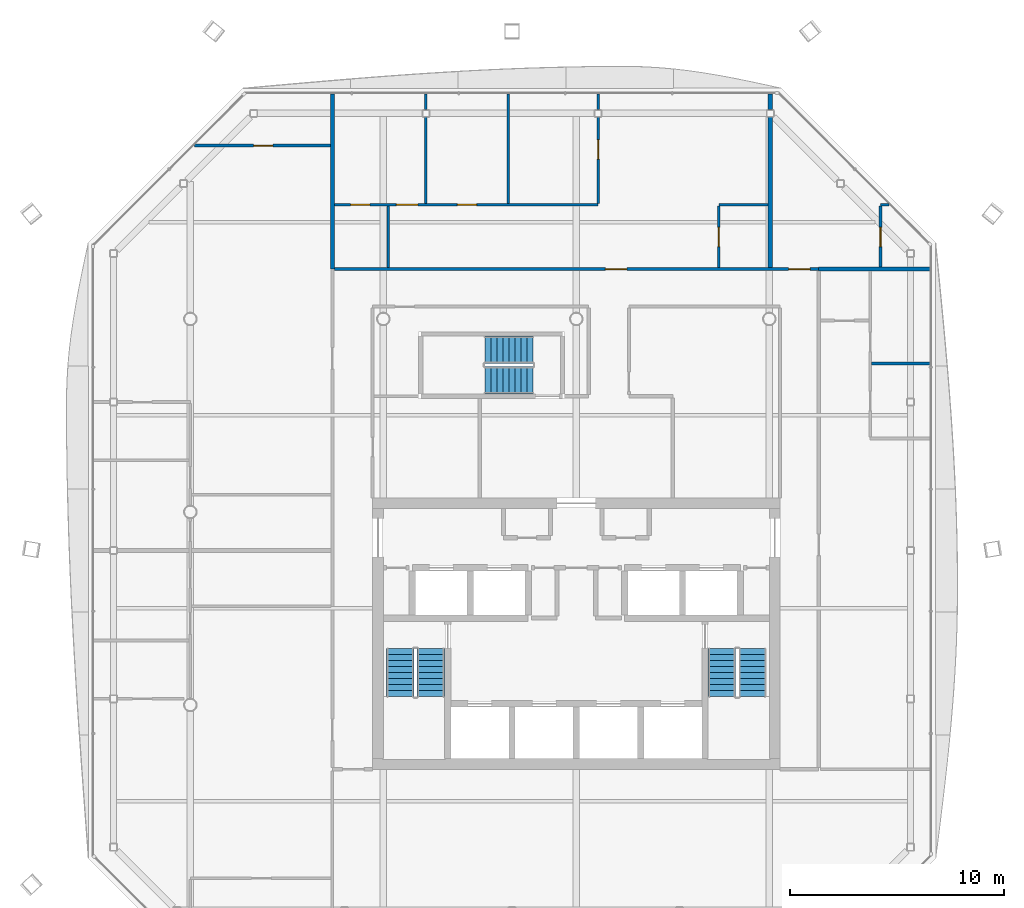
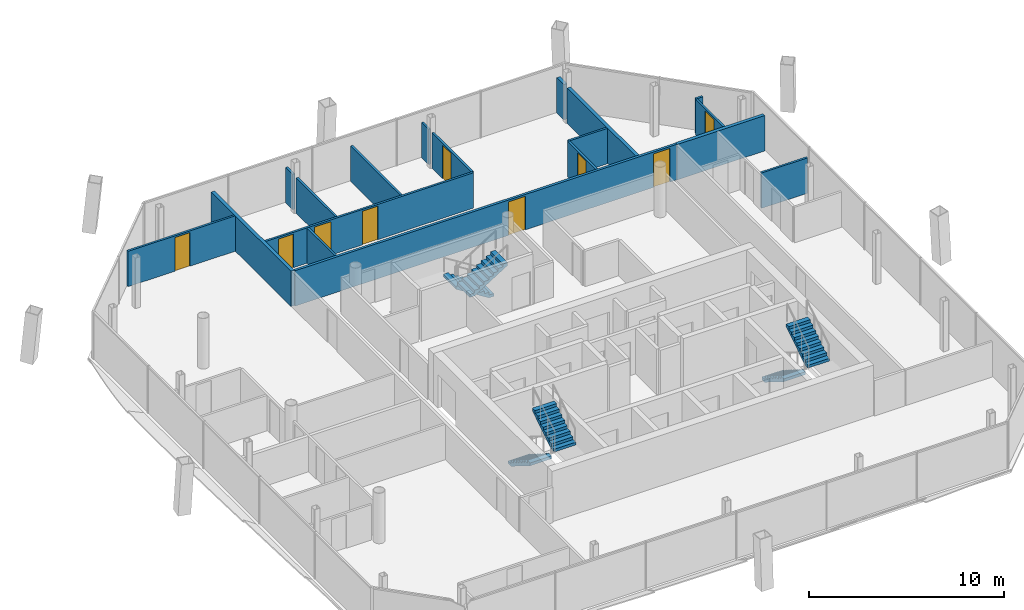
# One storey, part 15 of 19: 18 walls, 9 doors, 6 stair flights, 9 openings, 3 elements without a shape of their own.
"""IFC4 building model written with IfcOpenShell, lengths in metres."""

from ifc_helpers import new_model, si_unit, direction, frame, frame_2d, origin, place, context, subcontext, project, spatial, polyline, rectangle, outline, extrude, material, layer, layer_set, type_object, element, fill, aggregate, save


model = new_model("IFC4")

# Units and contexts
model_context = context("Model", 3, precision=1e-05, world=origin(), true_north=direction((0.0, 1.0)))
body_context = subcontext(model_context, "Body", "Model", "MODEL_VIEW")
ifc_project = project(units=[si_unit("LENGTHUNIT", "METRE"), si_unit("AREAUNIT", "SQUARE_METRE"), si_unit("VOLUMEUNIT", "CUBIC_METRE"), si_unit("PLANEANGLEUNIT", "RADIAN"), si_unit("MASSUNIT", "GRAM", prefix="KILO")], contexts=[model_context])

# Site, building, storey
site_placement = place(None, origin())
site = spatial("IfcSite", under=ifc_project, at=site_placement, CompositionType="ELEMENT")
building_placement = place(site_placement, origin())
building = spatial("IfcBuilding", under=site, at=building_placement, Name="Tskaro Facet Tower", CompositionType="ELEMENT")
storey_placement = place(building_placement, frame((0.0, 0.0, 203.699951171875)))
storey = spatial("IfcBuildingStorey", under=building, at=storey_placement, Name="L52", CompositionType="ELEMENT", Elevation=203.699951171875)

# Wall
ifc_material_1 = material(Name="Gypsum board on steel studs", Category="steel")
ifc_layer_1 = layer(ifc_material_1, 0.125, Name="Gypsum board on steel studs")
ifc_layer_set_1 = layer_set([ifc_layer_1], Name="Gypsum board on steel studs")
wall_type_1 = type_object("IfcWallType", Name="PART", PredefinedType="PARTITIONING", material=ifc_layer_set_1)
wall_1_placement = place(storey_placement, frame((13.762451171875, 6.925048828125, 0.0), z_axis=(0.0, 0.0, 1.0), x_axis=(1.0, 0.0, 0.0)))
element("IfcWall", 1, at=wall_1_placement, inside=storey, type_object=wall_type_1, Name="Partition W032", PredefinedType="PARTITIONING", context=body_context, shape_type="SweptSolid", body=[
    extrude(rectangle(XDim=2.720458984375, YDim=0.125, at=frame_2d((1.3603515625, 0.0))), origin(), (0.0, 0.0, 1.0), 2.2099609375),
])

# Wall, openings, doors
wall_2_placement = place(storey_placement, frame((-11.27490234375, 14.324951171875, 0.0), z_axis=(0.0, 0.0, 1.0), x_axis=(1.0, 0.0, 0.0)))
wall_2 = element("IfcWall", 2, at=wall_2_placement, inside=storey, type_object=wall_type_1, Name="Partition W039", PredefinedType="PARTITIONING", context=body_context, shape_type="SweptSolid", body=[
    extrude(rectangle(XDim=12.289794921875, YDim=0.125, at=frame_2d((6.14501953125, 0.0))), origin(), (0.0, 0.0, 1.0), 2.2099609375),
])
opening_1_placement = place(wall_2_placement, frame((5.72998046875, 0.0, 0.0)))
opening_1 = element("IfcOpeningElement", 3, at=opening_1_placement, cuts=wall_2, Name="Opening T15-D33", PredefinedType="OPENING", context=body_context, shape_type="SweptSolid", body=[
    extrude(rectangle(XDim=0.89990234375, YDim=2.10009765625, at=frame_2d((0.449951171875, 1.050048828125))), frame((0.0, 0.072509765625, 0.0), z_axis=(0.0, -1.0, 0.0), x_axis=(1.0, 0.0, 0.0)), (0.0, 0.0, 1.0), 0.14501953125),
])
opening_2_placement = place(wall_2_placement, frame((2.8798828125, 0.0, 0.0)))
opening_2 = element("IfcOpeningElement", 4, at=opening_2_placement, cuts=wall_2, Name="Opening T15-D32", PredefinedType="OPENING", context=body_context, shape_type="SweptSolid", body=[
    extrude(rectangle(XDim=1.0, YDim=2.10009765625, at=frame_2d((0.5, 1.050048828125))), frame((0.0, 0.072509765625, 0.0), z_axis=(0.0, -1.0, 0.0), x_axis=(1.0, 0.0, 0.0)), (0.0, 0.0, 1.0), 0.14501953125),
])
opening_3_placement = place(wall_2_placement, frame((0.75, 0.0, 0.0)))
opening_3 = element("IfcOpeningElement", 5, at=opening_3_placement, cuts=wall_2, Name="Opening T15-D31", PredefinedType="OPENING", context=body_context, shape_type="SweptSolid", body=[
    extrude(rectangle(XDim=0.89990234375, YDim=2.10009765625, at=frame_2d((0.449951171875, 1.050048828125))), frame((0.0, 0.072509765625, 0.0), z_axis=(0.0, -1.0, 0.0), x_axis=(1.0, 0.0, 0.0)), (0.0, 0.0, 1.0), 0.14501953125),
])
ifc_material_2 = material(Name="Timber", Category="wood")
door_type_1 = type_object("IfcDoorType", Name="D-ROOM", OperationType="NOTDEFINED", PredefinedType="DOOR", material=ifc_material_2)
door_1_placement = place(opening_1_placement, origin())
door_1 = element("IfcDoor", 6, at=door_1_placement, inside=storey, type_object=door_type_1, Name="Door T15-D33", OperationType="SINGLE_SWING_LEFT", OverallHeight=2.10009765625, OverallWidth=0.89990234375, PredefinedType="DOOR", context=body_context, shape_type="SweptSolid", body=[
    extrude(rectangle(XDim=0.89990234375, YDim=2.10009765625, at=frame_2d((0.449951171875, 1.050048828125))), frame((0.0, 0.02490234375, 0.0), z_axis=(0.0, -1.0, 0.0), x_axis=(1.0, 0.0, 0.0)), (0.0, 0.0, 1.0), 0.050048828125),
])
fill(opening_1, door_1)
door_2_placement = place(opening_3_placement, origin())
door_2 = element("IfcDoor", 7, at=door_2_placement, inside=storey, type_object=door_type_1, Name="Door T15-D31", OperationType="SINGLE_SWING_RIGHT", OverallHeight=2.10009765625, OverallWidth=0.89990234375, PredefinedType="DOOR", context=body_context, shape_type="SweptSolid", body=[
    extrude(rectangle(XDim=0.89990234375, YDim=2.10009765625, at=frame_2d((0.449951171875, 1.050048828125))), frame((0.0, 0.02490234375, 0.0), z_axis=(0.0, -1.0, 0.0), x_axis=(1.0, 0.0, 0.0)), (0.0, 0.0, 1.0), 0.050048828125),
])
fill(opening_3, door_2)
door_type_2 = type_object("IfcDoorType", Name="D-ROOM-WIDE", OperationType="NOTDEFINED", PredefinedType="DOOR", material=ifc_material_2)
door_3_placement = place(opening_2_placement, origin())
door_3 = element("IfcDoor", 8, at=door_3_placement, inside=storey, type_object=door_type_2, Name="Door T15-D32", OperationType="SINGLE_SWING_RIGHT", OverallHeight=2.10009765625, OverallWidth=1.0, PredefinedType="DOOR", context=body_context, shape_type="SweptSolid", body=[
    extrude(rectangle(XDim=1.0, YDim=2.10009765625, at=frame_2d((0.5, 1.050048828125))), frame((0.0, 0.02490234375, 0.0), z_axis=(0.0, -1.0, 0.0), x_axis=(1.0, 0.0, 0.0)), (0.0, 0.0, 1.0), 0.050048828125),
])
fill(opening_2, door_3)

# Walls
wall_3_placement = place(storey_placement, frame((6.64501953125, 14.324951171875, 0.0), z_axis=(0.0, 0.0, 1.0), x_axis=(1.0, 0.0, 0.0)))
element("IfcWall", 9, at=wall_3_placement, inside=storey, type_object=wall_type_1, Name="Partition W040", PredefinedType="PARTITIONING", context=body_context, shape_type="SweptSolid", body=[
    extrude(rectangle(XDim=2.300048828125, YDim=0.125, at=frame_2d((1.14990234375, 0.0))), origin(), (0.0, 0.0, 1.0), 2.2099609375),
])
wall_4_placement = place(storey_placement, frame((14.18505859375, 14.324951171875, 0.0), z_axis=(0.0, 0.0, 1.0), x_axis=(1.0, 0.0, 0.0)))
element("IfcWall", 10, at=wall_4_placement, inside=storey, type_object=wall_type_1, Name="Partition W041", PredefinedType="PARTITIONING", context=body_context, shape_type="SweptSolid", body=[
    extrude(rectangle(XDim=0.391845703125, YDim=0.125, at=frame_2d((0.19580078125, 0.0))), origin(), (0.0, 0.0, 1.0), 2.2099609375),
])

# Wall, opening, door
wall_5_placement = place(storey_placement, frame((-17.81689453125, 17.0849609375, 0.0), z_axis=(0.0, 0.0, 1.0), x_axis=(1.0, 0.0, 0.0)))
wall_5 = element("IfcWall", 11, at=wall_5_placement, inside=storey, type_object=wall_type_1, Name="Partition W042", PredefinedType="PARTITIONING", context=body_context, shape_type="SweptSolid", body=[
    extrude(rectangle(XDim=6.341796875, YDim=0.125, at=frame_2d((3.1708984375, 0.0))), origin(), (0.0, 0.0, 1.0), 2.2099609375),
])
opening_4_placement = place(wall_5_placement, frame((2.77099609375, 0.0, 0.0)))
opening_4 = element("IfcOpeningElement", 12, at=opening_4_placement, cuts=wall_5, Name="Opening T15-D35", PredefinedType="OPENING", context=body_context, shape_type="SweptSolid", body=[
    extrude(rectangle(XDim=0.89990234375, YDim=2.10009765625, at=frame_2d((0.449951171875, 1.050048828125))), frame((0.0, 0.072509765625, 0.0), z_axis=(0.0, -1.0, 0.0), x_axis=(1.0, 0.0, 0.0)), (0.0, 0.0, 1.0), 0.14501953125),
])
door_4_placement = place(opening_4_placement, origin())
door_4 = element("IfcDoor", 13, at=door_4_placement, inside=storey, type_object=door_type_1, Name="Door T15-D35", OperationType="SINGLE_SWING_LEFT", OverallHeight=2.10009765625, OverallWidth=0.89990234375, PredefinedType="DOOR", context=body_context, shape_type="SweptSolid", body=[
    extrude(rectangle(XDim=0.89990234375, YDim=2.10009765625, at=frame_2d((0.449951171875, 1.050048828125))), frame((0.0, 0.02490234375, 0.0), z_axis=(0.0, -1.0, 0.0), x_axis=(1.0, 0.0, 0.0)), (0.0, 0.0, 1.0), 0.050048828125),
])
fill(opening_4, door_4)

# Walls
wall_6_placement = place(storey_placement, frame((-8.77490234375, 11.39990234375, 0.0), z_axis=(0.0, 0.0, 1.0), x_axis=(0.0, 1.0, 0.0)))
element("IfcWall", 14, at=wall_6_placement, inside=storey, type_object=wall_type_1, Name="Partition W050", PredefinedType="PARTITIONING", context=body_context, shape_type="SweptSolid", body=[
    extrude(rectangle(XDim=2.862548828125, YDim=0.125, at=frame_2d((1.43115234375, 0.0))), origin(), (0.0, 0.0, 1.0), 2.2099609375),
])
wall_7_placement = place(storey_placement, frame((-7.014892578125, 14.387451171875, 0.0), z_axis=(0.0, 0.0, 1.0), x_axis=(0.0, 1.0, 0.0)))
element("IfcWall", 15, at=wall_7_placement, inside=storey, type_object=wall_type_1, Name="Partition W053", PredefinedType="PARTITIONING", context=body_context, shape_type="SweptSolid", body=[
    extrude(rectangle(XDim=4.0205078125, YDim=0.125, at=frame_2d((2.01025390625, 0.0))), origin(), (0.0, 0.0, 1.0), 2.2099609375),
])
wall_8_placement = place(storey_placement, frame((-7.014892578125, 18.758056640625, 0.0), z_axis=(0.0, 0.0, 1.0), x_axis=(0.0, 1.0, 0.0)))
element("IfcWall", 16, at=wall_8_placement, inside=storey, type_object=wall_type_1, Name="Partition W054", PredefinedType="PARTITIONING", context=body_context, shape_type="SweptSolid", body=[
    extrude(rectangle(XDim=0.724853515625, YDim=0.125, at=frame_2d((0.3623046875, 0.0))), origin(), (0.0, 0.0, 1.0), 2.2099609375),
])
wall_9_placement = place(storey_placement, frame((-3.175048828125, 14.387451171875, 0.0), z_axis=(0.0, 0.0, 1.0), x_axis=(0.0, 1.0, 0.0)))
element("IfcWall", 17, at=wall_9_placement, inside=storey, type_object=wall_type_1, Name="Partition W059", PredefinedType="PARTITIONING", context=body_context, shape_type="SweptSolid", body=[
    extrude(rectangle(XDim=5.095458984375, YDim=0.125, at=frame_2d((2.5478515625, 0.0))), origin(), (0.0, 0.0, 1.0), 2.2099609375),
])

# Wall, opening, door
wall_10_placement = place(storey_placement, frame((1.014892578125, 14.387451171875, 0.0), z_axis=(0.0, 0.0, 1.0), x_axis=(0.0, 1.0, 0.0)))
wall_10 = element("IfcWall", 18, at=wall_10_placement, inside=storey, type_object=wall_type_1, Name="Partition W068", PredefinedType="PARTITIONING", context=body_context, shape_type="SweptSolid", body=[
    extrude(rectangle(XDim=4.0205078125, YDim=0.125, at=frame_2d((2.01025390625, 0.0))), origin(), (0.0, 0.0, 1.0), 2.2099609375),
])
opening_5_placement = place(wall_10_placement, frame((2.06640625, 0.0, 0.0)))
opening_5 = element("IfcOpeningElement", 19, at=opening_5_placement, cuts=wall_10, Name="Opening T15-D34", PredefinedType="OPENING", context=body_context, shape_type="SweptSolid", body=[
    extrude(rectangle(XDim=0.89990234375, YDim=2.10009765625, at=frame_2d((0.449951171875, 1.050048828125))), frame((0.0, 0.072509765625, 0.0), z_axis=(0.0, -1.0, 0.0), x_axis=(1.0, 0.0, 0.0)), (0.0, 0.0, 1.0), 0.14501953125),
])
door_5_placement = place(opening_5_placement, origin())
door_5 = element("IfcDoor", 20, at=door_5_placement, inside=storey, type_object=door_type_1, Name="Door T15-D34", OperationType="SINGLE_SWING_LEFT", OverallHeight=2.10009765625, OverallWidth=0.89990234375, PredefinedType="DOOR", context=body_context, shape_type="SweptSolid", body=[
    extrude(rectangle(XDim=0.89990234375, YDim=2.10009765625, at=frame_2d((0.449951171875, 1.050048828125))), frame((0.0, 0.02490234375, 0.0), z_axis=(0.0, -1.0, 0.0), x_axis=(1.0, 0.0, 0.0)), (0.0, 0.0, 1.0), 0.050048828125),
])
fill(opening_5, door_5)

# Wall
wall_11_placement = place(storey_placement, frame((1.014892578125, 18.758056640625, 0.0), z_axis=(0.0, 0.0, 1.0), x_axis=(0.0, 1.0, 0.0)))
element("IfcWall", 21, at=wall_11_placement, inside=storey, type_object=wall_type_1, Name="Partition W069", PredefinedType="PARTITIONING", context=body_context, shape_type="SweptSolid", body=[
    extrude(rectangle(XDim=0.724853515625, YDim=0.125, at=frame_2d((0.3623046875, 0.0))), origin(), (0.0, 0.0, 1.0), 2.2099609375),
])

# Wall, opening, door
wall_12_placement = place(storey_placement, frame((6.64501953125, 14.262451171875, 0.0), z_axis=(0.0, 0.0, 1.0), x_axis=(0.0, -1.0, 0.0)))
wall_12 = element("IfcWall", 22, at=wall_12_placement, inside=storey, type_object=wall_type_1, Name="Partition W078", PredefinedType="PARTITIONING", context=body_context, shape_type="SweptSolid", body=[
    extrude(rectangle(XDim=2.862548828125, YDim=0.125, at=frame_2d((1.43115234375, 0.0))), origin(), (0.0, 0.0, 1.0), 2.2099609375),
])
opening_6_placement = place(wall_12_placement, frame((0.987548828125, 0.0, 0.0)))
opening_6 = element("IfcOpeningElement", 23, at=opening_6_placement, cuts=wall_12, Name="Opening T15-D29", PredefinedType="OPENING", context=body_context, shape_type="SweptSolid", body=[
    extrude(rectangle(XDim=0.89990234375, YDim=2.10009765625, at=frame_2d((0.449951171875, 1.050048828125))), frame((0.0, 0.072509765625, 0.0), z_axis=(0.0, -1.0, 0.0), x_axis=(1.0, 0.0, 0.0)), (0.0, 0.0, 1.0), 0.14501953125),
])
door_6_placement = place(opening_6_placement, origin())
door_6 = element("IfcDoor", 24, at=door_6_placement, inside=storey, type_object=door_type_1, Name="Door T15-D29", OperationType="SINGLE_SWING_RIGHT", OverallHeight=2.10009765625, OverallWidth=0.89990234375, PredefinedType="DOOR", context=body_context, shape_type="SweptSolid", body=[
    extrude(rectangle(XDim=0.89990234375, YDim=2.10009765625, at=frame_2d((0.449951171875, 1.050048828125))), frame((0.0, 0.02490234375, 0.0), z_axis=(0.0, -1.0, 0.0), x_axis=(1.0, 0.0, 0.0)), (0.0, 0.0, 1.0), 0.050048828125),
])
fill(opening_6, door_6)

wall_13_placement = place(storey_placement, frame((14.18505859375, 14.262451171875, 0.0), z_axis=(0.0, 0.0, 1.0), x_axis=(0.0, -1.0, 0.0)))
wall_13 = element("IfcWall", 25, at=wall_13_placement, inside=storey, type_object=wall_type_1, Name="Partition W085", PredefinedType="PARTITIONING", context=body_context, shape_type="SweptSolid", body=[
    extrude(rectangle(XDim=2.83740234375, YDim=0.125, at=frame_2d((1.418701171875, 0.0))), origin(), (0.0, 0.0, 1.0), 2.2099609375),
])
opening_7_placement = place(wall_13_placement, frame((0.987548828125, 0.0, 0.0)))
opening_7 = element("IfcOpeningElement", 26, at=opening_7_placement, cuts=wall_13, Name="Opening T15-D30", PredefinedType="OPENING", context=body_context, shape_type="SweptSolid", body=[
    extrude(rectangle(XDim=0.89990234375, YDim=2.10009765625, at=frame_2d((0.449951171875, 1.050048828125))), frame((0.0, 0.072509765625, 0.0), z_axis=(0.0, -1.0, 0.0), x_axis=(1.0, 0.0, 0.0)), (0.0, 0.0, 1.0), 0.14501953125),
])
door_7_placement = place(opening_7_placement, origin())
door_7 = element("IfcDoor", 27, at=door_7_placement, inside=storey, type_object=door_type_1, Name="Door T15-D30", OperationType="SINGLE_SWING_RIGHT", OverallHeight=2.10009765625, OverallWidth=0.89990234375, PredefinedType="DOOR", context=body_context, shape_type="SweptSolid", body=[
    extrude(rectangle(XDim=0.89990234375, YDim=2.10009765625, at=frame_2d((0.449951171875, 1.050048828125))), frame((0.0, 0.02490234375, 0.0), z_axis=(0.0, -1.0, 0.0), x_axis=(1.0, 0.0, 0.0)), (0.0, 0.0, 1.0), 0.050048828125),
])
fill(opening_7, door_7)

# Wall, openings, doors
ifc_layer_2 = layer(ifc_material_1, 0.14990234375, Name="Gypsum board on steel studs")
ifc_layer_set_2 = layer_set([ifc_layer_2], Name="Gypsum board on steel studs")
wall_type_2 = type_object("IfcWallType", Name="PART-CORR", PredefinedType="PARTITIONING", material=ifc_layer_set_2)
wall_14_placement = place(storey_placement, frame((-11.27490234375, 11.324951171875, 0.0), z_axis=(0.0, 0.0, 1.0), x_axis=(1.0, 0.0, 0.0)))
wall_14 = element("IfcWall", 28, at=wall_14_placement, inside=storey, type_object=wall_type_2, Name="Corridor wall W037", PredefinedType="PARTITIONING", context=body_context, shape_type="SweptSolid", body=[
    extrude(rectangle(XDim=22.574951171875, YDim=0.14990234375, at=frame_2d((11.28759765625, 0.0))), origin(), (0.0, 0.0, 1.0), 2.2099609375),
])
opening_8_placement = place(wall_14_placement, frame((12.6298828125, 0.0, 0.0)))
opening_8 = element("IfcOpeningElement", 29, at=opening_8_placement, cuts=wall_14, Name="Opening T15-D27", PredefinedType="OPENING", context=body_context, shape_type="SweptSolid", body=[
    extrude(rectangle(XDim=1.0, YDim=2.10009765625, at=frame_2d((0.5, 1.050048828125))), frame((0.0, 0.0849609375, 0.0), z_axis=(0.0, -1.0, 0.0), x_axis=(1.0, 0.0, 0.0)), (0.0, 0.0, 1.0), 0.169921875),
])
opening_9_placement = place(wall_14_placement, frame((21.175048828125, 0.0, 0.0)))
opening_9 = element("IfcOpeningElement", 30, at=opening_9_placement, cuts=wall_14, Name="Opening T15-D28", PredefinedType="OPENING", context=body_context, shape_type="SweptSolid", body=[
    extrude(rectangle(XDim=1.0, YDim=2.10009765625, at=frame_2d((0.5, 1.050048828125))), frame((0.0, 0.0849609375, 0.0), z_axis=(0.0, -1.0, 0.0), x_axis=(1.0, 0.0, 0.0)), (0.0, 0.0, 1.0), 0.169921875),
])
door_type_3 = type_object("IfcDoorType", Name="D-FLAT-ENTRY", OperationType="NOTDEFINED", PredefinedType="DOOR", material=ifc_material_2)
door_8_placement = place(opening_8_placement, origin())
door_8 = element("IfcDoor", 31, at=door_8_placement, inside=storey, type_object=door_type_3, Name="Door T15-D27", OperationType="SINGLE_SWING_LEFT", OverallHeight=2.10009765625, OverallWidth=1.0, PredefinedType="DOOR", context=body_context, shape_type="SweptSolid", body=[
    extrude(rectangle(XDim=1.0, YDim=2.10009765625, at=frame_2d((0.5, 1.050048828125))), frame((0.0, 0.02490234375, 0.0), z_axis=(0.0, -1.0, 0.0), x_axis=(1.0, 0.0, 0.0)), (0.0, 0.0, 1.0), 0.050048828125),
])
fill(opening_8, door_8)
door_9_placement = place(opening_9_placement, origin())
door_9 = element("IfcDoor", 32, at=door_9_placement, inside=storey, type_object=door_type_3, Name="Door T15-D28", OperationType="SINGLE_SWING_LEFT", OverallHeight=2.10009765625, OverallWidth=1.0, PredefinedType="DOOR", context=body_context, shape_type="SweptSolid", body=[
    extrude(rectangle(XDim=1.0, YDim=2.10009765625, at=frame_2d((0.5, 1.050048828125))), frame((0.0, 0.02490234375, 0.0), z_axis=(0.0, -1.0, 0.0), x_axis=(1.0, 0.0, 0.0)), (0.0, 0.0, 1.0), 0.050048828125),
])
fill(opening_9, door_9)

# Walls
ifc_layer_3 = layer(ifc_material_1, 0.199951171875, Name="Gypsum board on steel studs")
ifc_layer_set_3 = layer_set([ifc_layer_3], Name="Gypsum board on steel studs")
wall_type_3 = type_object("IfcWallType", Name="PART-DEMISING", PredefinedType="PARTITIONING", material=ifc_layer_set_3)
wall_15_placement = place(storey_placement, frame((11.300048828125, 11.324951171875, 0.0), z_axis=(0.0, 0.0, 1.0), x_axis=(1.0, 0.0, 0.0)))
element("IfcWall", 33, at=wall_15_placement, inside=storey, type_object=wall_type_3, Name="Guest room wall W038", PredefinedType="PARTITIONING", context=body_context, shape_type="SweptSolid", body=[
    extrude(rectangle(XDim=5.182861328125, YDim=0.199951171875, at=frame_2d((2.59130859375, 0.0))), origin(), (0.0, 0.0, 1.0), 2.2099609375),
])
wall_16_placement = place(storey_placement, frame((-11.375, 11.324951171875, 0.0), z_axis=(0.0, 0.0, 1.0), x_axis=(0.0, 1.0, 0.0)))
element("IfcWall", 34, at=wall_16_placement, inside=storey, type_object=wall_type_3, Name="Guest room wall W048", PredefinedType="PARTITIONING", context=body_context, shape_type="SweptSolid", body=[
    extrude(rectangle(XDim=8.157958984375, YDim=0.199951171875, at=frame_2d((4.0791015625, 0.0))), origin(), (0.0, 0.0, 1.0), 2.2099609375),
])
wall_17_placement = place(storey_placement, frame((9.044921875, 11.39990234375, 0.0), z_axis=(0.0, 0.0, 1.0), x_axis=(0.0, 1.0, 0.0)))
element("IfcWall", 35, at=wall_17_placement, inside=storey, type_object=wall_type_3, Name="Guest room wall W080", PredefinedType="PARTITIONING", context=body_context, shape_type="SweptSolid", body=[
    extrude(rectangle(XDim=7.008056640625, YDim=0.199951171875, at=frame_2d((3.50390625, 0.0))), origin(), (0.0, 0.0, 1.0), 2.2099609375),
])
wall_18_placement = place(storey_placement, frame((9.044921875, 18.758056640625, 0.0), z_axis=(0.0, 0.0, 1.0), x_axis=(0.0, 1.0, 0.0)))
element("IfcWall", 36, at=wall_18_placement, inside=storey, type_object=wall_type_3, Name="Guest room wall W081", PredefinedType="PARTITIONING", context=body_context, shape_type="SweptSolid", body=[
    extrude(rectangle(XDim=0.724853515625, YDim=0.199951171875, at=frame_2d((0.3623046875, 0.0))), origin(), (0.0, 0.0, 1.0), 2.2099609375),
])

# Stair, stair flights
ifc_material_3 = material(Name="Concrete C40/50", Category="concrete")
stair_type = type_object("IfcStairType", Name="ST-TWR", PredefinedType="HALF_TURN_STAIR", material=ifc_material_3)
stair_1_placement = place(storey_placement, origin())
stair_1 = element("IfcStair", 37, at=stair_1_placement, inside=storey, type_object=stair_type, Name="L52 Exit stair 1", PredefinedType="HALF_TURN_STAIR")
stair_flight_type = type_object("IfcStairFlightType", Name="SFL-RC", PredefinedType="STRAIGHT", material=ifc_material_3)
stair_flight_1_placement = place(storey_placement, frame((-8.21240234375, -6.375, 0.0), z_axis=(0.0, 0.0, 1.0), x_axis=(0.0, -1.0, 0.0)))
stair_flight_1 = element("IfcStairFlight", 38, at=stair_flight_1_placement, type_object=stair_flight_type, Name="ST-1 flight 1", NumberOfRisers=9, NumberOfTreads=8, PredefinedType="STRAIGHT", RiserHeight=0.175, TreadLength=0.28, context=body_context, shape_type="SweptSolid", body=[
    extrude(outline(polyline([(0.0, 0.0), (0.0, 0.175048828125), (0.280029296875, 0.175048828125), (0.280029296875, 0.35009765625), (0.56005859375, 0.35009765625), (0.56005859375, 0.52490234375), (0.840087890625, 0.52490234375), (0.840087890625, 0.699951171875), (1.1201171875, 0.699951171875), (1.1201171875, 0.875), (1.39990234375, 0.875), (1.39990234375, 1.050048828125), (1.679931640625, 1.050048828125), (1.679931640625, 1.22509765625), (1.9599609375, 1.22509765625), (1.9599609375, 1.39990234375), (2.239990234375, 1.39990234375), (2.239990234375, 1.574951171875), (2.239990234375, 1.22314453125), (0.28271484375, 0.0), (0.0, 0.0)])), frame((0.0, 0.637451171875, 0.0), z_axis=(0.0, -1.0, 0.0), x_axis=(1.0, 0.0, 0.0)), (0.0, 0.0, 1.0), 1.27490234375),
])
stair_flight_2_placement = place(storey_placement, frame((-6.78759765625, -8.614990234375, 1.574951171875), z_axis=(0.0, 0.0, 1.0), x_axis=(0.0, 1.0, 0.0)))
stair_flight_2 = element("IfcStairFlight", 39, at=stair_flight_2_placement, type_object=stair_flight_type, Name="ST-1 flight 2", NumberOfRisers=9, NumberOfTreads=8, PredefinedType="STRAIGHT", RiserHeight=0.175, TreadLength=0.28, context=body_context, shape_type="SweptSolid", body=[
    extrude(outline(polyline([(0.0, 0.0), (0.0, 0.175048828125), (0.280029296875, 0.175048828125), (0.280029296875, 0.35009765625), (0.56005859375, 0.35009765625), (0.56005859375, 0.52490234375), (0.840087890625, 0.52490234375), (0.840087890625, 0.699951171875), (1.1201171875, 0.699951171875), (1.1201171875, 0.875), (1.39990234375, 0.875), (1.39990234375, 1.050048828125), (1.679931640625, 1.050048828125), (1.679931640625, 1.22509765625), (1.9599609375, 1.22509765625), (1.9599609375, 1.39990234375), (2.239990234375, 1.39990234375), (2.239990234375, 1.574951171875), (2.239990234375, 1.22314453125), (0.28271484375, 0.0), (0.0, 0.0)])), frame((0.0, 0.637451171875, 0.0), z_axis=(0.0, -1.0, 0.0), x_axis=(1.0, 0.0, 0.0)), (0.0, 0.0, 1.0), 1.27490234375),
])
aggregate(stair_1, [stair_flight_1, stair_flight_2])

stair_2_placement = place(storey_placement, origin())
stair_2 = element("IfcStair", 40, at=stair_2_placement, inside=storey, type_object=stair_type, Name="L52 Exit stair 2", PredefinedType="HALF_TURN_STAIR")
stair_flight_3_placement = place(storey_placement, frame((6.78759765625, -6.375, 0.0), z_axis=(0.0, 0.0, 1.0), x_axis=(0.0, -1.0, 0.0)))
stair_flight_3 = element("IfcStairFlight", 41, at=stair_flight_3_placement, type_object=stair_flight_type, Name="ST-2 flight 1", NumberOfRisers=9, NumberOfTreads=8, PredefinedType="STRAIGHT", RiserHeight=0.175, TreadLength=0.28, context=body_context, shape_type="SweptSolid", body=[
    extrude(outline(polyline([(0.0, 0.0), (0.0, 0.175048828125), (0.280029296875, 0.175048828125), (0.280029296875, 0.35009765625), (0.56005859375, 0.35009765625), (0.56005859375, 0.52490234375), (0.840087890625, 0.52490234375), (0.840087890625, 0.699951171875), (1.1201171875, 0.699951171875), (1.1201171875, 0.875), (1.39990234375, 0.875), (1.39990234375, 1.050048828125), (1.679931640625, 1.050048828125), (1.679931640625, 1.22509765625), (1.9599609375, 1.22509765625), (1.9599609375, 1.39990234375), (2.239990234375, 1.39990234375), (2.239990234375, 1.574951171875), (2.239990234375, 1.22314453125), (0.28271484375, 0.0), (0.0, 0.0)])), frame((0.0, 0.637451171875, 0.0), z_axis=(0.0, -1.0, 0.0), x_axis=(1.0, 0.0, 0.0)), (0.0, 0.0, 1.0), 1.27490234375),
])
stair_flight_4_placement = place(storey_placement, frame((8.21240234375, -8.614990234375, 1.574951171875), z_axis=(0.0, 0.0, 1.0), x_axis=(0.0, 1.0, 0.0)))
stair_flight_4 = element("IfcStairFlight", 42, at=stair_flight_4_placement, type_object=stair_flight_type, Name="ST-2 flight 2", NumberOfRisers=9, NumberOfTreads=8, PredefinedType="STRAIGHT", RiserHeight=0.175, TreadLength=0.28, context=body_context, shape_type="SweptSolid", body=[
    extrude(outline(polyline([(0.0, 0.0), (0.0, 0.175048828125), (0.280029296875, 0.175048828125), (0.280029296875, 0.35009765625), (0.56005859375, 0.35009765625), (0.56005859375, 0.52490234375), (0.840087890625, 0.52490234375), (0.840087890625, 0.699951171875), (1.1201171875, 0.699951171875), (1.1201171875, 0.875), (1.39990234375, 0.875), (1.39990234375, 1.050048828125), (1.679931640625, 1.050048828125), (1.679931640625, 1.22509765625), (1.9599609375, 1.22509765625), (1.9599609375, 1.39990234375), (2.239990234375, 1.39990234375), (2.239990234375, 1.574951171875), (2.239990234375, 1.22314453125), (0.28271484375, 0.0), (0.0, 0.0)])), frame((0.0, 0.637451171875, 0.0), z_axis=(0.0, -1.0, 0.0), x_axis=(1.0, 0.0, 0.0)), (0.0, 0.0, 1.0), 1.27490234375),
])
aggregate(stair_2, [stair_flight_3, stair_flight_4])

stair_3_placement = place(storey_placement, origin())
stair_3 = element("IfcStair", 43, at=stair_3_placement, inside=storey, type_object=stair_type, Name="L52 Exit stair 3", PredefinedType="HALF_TURN_STAIR")
stair_flight_5_placement = place(storey_placement, frame((-2.02490234375, 7.5625, 0.0), z_axis=(0.0, 0.0, 1.0), x_axis=(-1.0, 0.0, 0.0)))
stair_flight_5 = element("IfcStairFlight", 44, at=stair_flight_5_placement, type_object=stair_flight_type, Name="ST-3 flight 1", NumberOfRisers=9, NumberOfTreads=8, PredefinedType="STRAIGHT", RiserHeight=0.175, TreadLength=0.28, context=body_context, shape_type="SweptSolid", body=[
    extrude(outline(polyline([(0.0, 0.0), (0.0, 0.175048828125), (0.280029296875, 0.175048828125), (0.280029296875, 0.35009765625), (0.56005859375, 0.35009765625), (0.56005859375, 0.52490234375), (0.840087890625, 0.52490234375), (0.840087890625, 0.699951171875), (1.1201171875, 0.699951171875), (1.1201171875, 0.875), (1.39990234375, 0.875), (1.39990234375, 1.050048828125), (1.679931640625, 1.050048828125), (1.679931640625, 1.22509765625), (1.9599609375, 1.22509765625), (1.9599609375, 1.39990234375), (2.239990234375, 1.39990234375), (2.239990234375, 1.574951171875), (2.239990234375, 1.22314453125), (0.28271484375, 0.0), (0.0, 0.0)])), frame((0.0, 0.637451171875, 0.0), z_axis=(0.0, -1.0, 0.0), x_axis=(1.0, 0.0, 0.0)), (0.0, 0.0, 1.0), 1.27490234375),
])
stair_flight_6_placement = place(storey_placement, frame((-4.264892578125, 6.137451171875, 1.574951171875), z_axis=(0.0, 0.0, 1.0), x_axis=(1.0, 0.0, 0.0)))
stair_flight_6 = element("IfcStairFlight", 45, at=stair_flight_6_placement, type_object=stair_flight_type, Name="ST-3 flight 2", NumberOfRisers=9, NumberOfTreads=8, PredefinedType="STRAIGHT", RiserHeight=0.175, TreadLength=0.28, context=body_context, shape_type="SweptSolid", body=[
    extrude(outline(polyline([(0.0, 0.0), (0.0, 0.175048828125), (0.280029296875, 0.175048828125), (0.280029296875, 0.35009765625), (0.56005859375, 0.35009765625), (0.56005859375, 0.52490234375), (0.840087890625, 0.52490234375), (0.840087890625, 0.699951171875), (1.1201171875, 0.699951171875), (1.1201171875, 0.875), (1.39990234375, 0.875), (1.39990234375, 1.050048828125), (1.679931640625, 1.050048828125), (1.679931640625, 1.22509765625), (1.9599609375, 1.22509765625), (1.9599609375, 1.39990234375), (2.239990234375, 1.39990234375), (2.239990234375, 1.574951171875), (2.239990234375, 1.22314453125), (0.28271484375, 0.0), (0.0, 0.0)])), frame((0.0, 0.637451171875, 0.0), z_axis=(0.0, -1.0, 0.0), x_axis=(1.0, 0.0, 0.0)), (0.0, 0.0, 1.0), 1.27490234375),
])
aggregate(stair_3, [stair_flight_5, stair_flight_6])

save(model, "model.ifc")
